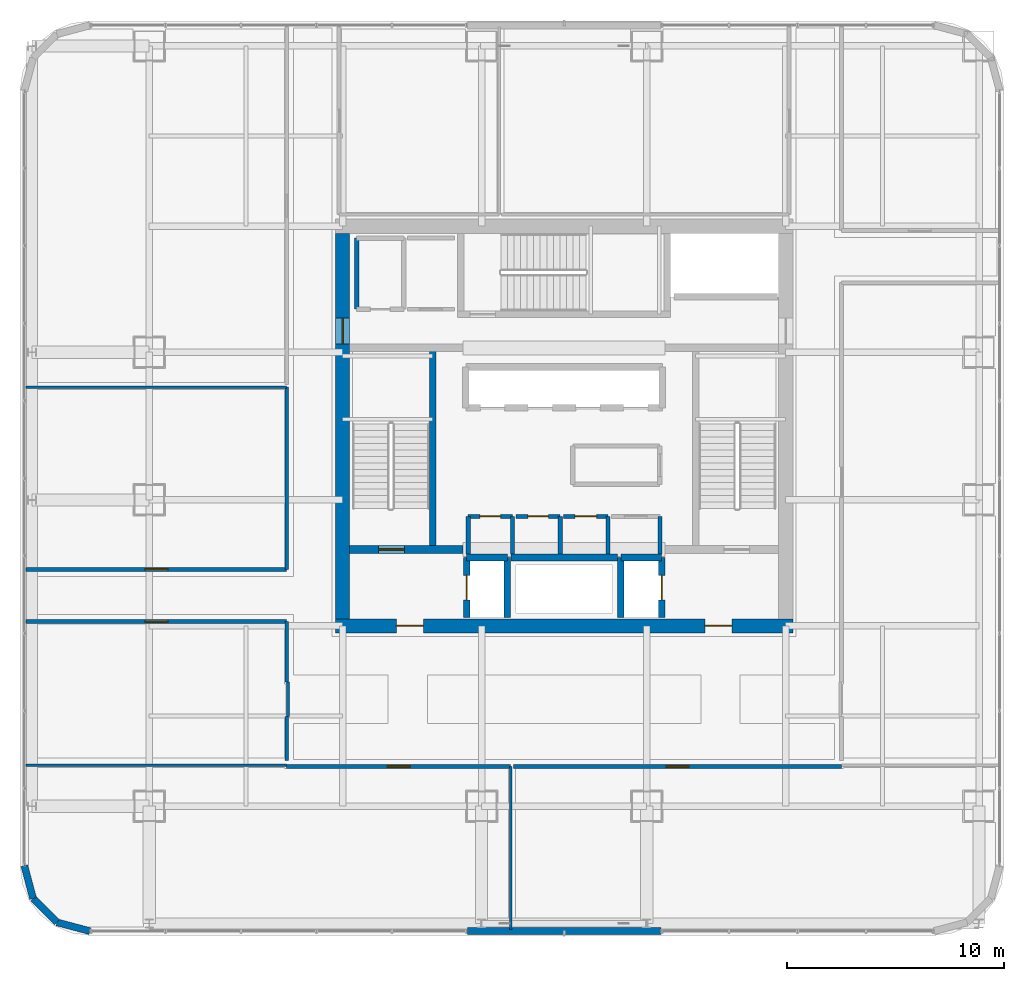
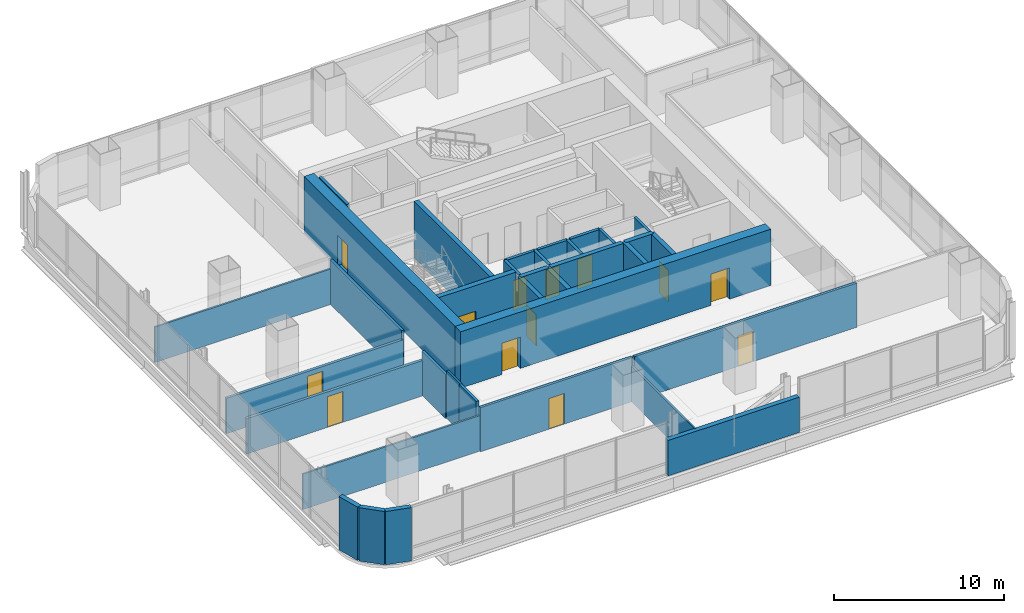
# One storey, part 28 of 38: 35 walls, 13 doors, 13 openings.
"""IFC4 building model written with IfcOpenShell, lengths in metres."""

from ifc_helpers import new_model, si_unit, direction, frame, frame_2d, origin, place, context, subcontext, project, spatial, rectangle, extrude, material, layer, layer_set, type_object, element, fill, save


model = new_model("IFC4")

# Units and contexts
model_context = context("Model", 3, precision=1e-05, world=origin(), true_north=direction((0.0, 1.0)))
body_context = subcontext(model_context, "Body", "Model", "MODEL_VIEW")
ifc_project = project(units=[si_unit("LENGTHUNIT", "METRE"), si_unit("AREAUNIT", "SQUARE_METRE"), si_unit("VOLUMEUNIT", "CUBIC_METRE"), si_unit("PLANEANGLEUNIT", "RADIAN"), si_unit("MASSUNIT", "GRAM", prefix="KILO")], contexts=[model_context])

# Site, building, storey
site_placement = place(None, origin())
site = spatial("IfcSite", under=ifc_project, at=site_placement, CompositionType="ELEMENT")
building_placement = place(site_placement, origin())
building = spatial("IfcBuilding", under=site, at=building_placement, Name="Punatoya Terracotta Tower", CompositionType="ELEMENT")
storey_placement = place(building_placement, frame((0.0, 0.0, 188.39990234375)))
storey = spatial("IfcBuildingStorey", under=building, at=storey_placement, Name="L44", CompositionType="ELEMENT", Elevation=188.39990234375)

# Wall, openings, doors
ifc_material_1 = material(Name="Concrete C60/75", Category="concrete")
ifc_layer_1 = layer(ifc_material_1, 0.64990234375)
ifc_layer_set_1 = layer_set([ifc_layer_1], Name="Concrete C60/75")
wall_type_1 = type_object("IfcWallType", Name="WL-COR-650", PredefinedType="SHEAR", material=ifc_layer_set_1)
wall_1_placement = place(storey_placement, frame((10.52490234375, -9.199951171875, 0.0), z_axis=(0.0, 0.0, 1.0), x_axis=(-1.0, 0.0, 0.0)))
wall_1 = element("IfcWall", 1, at=wall_1_placement, inside=storey, type_object=wall_type_1, Name="L44 Core Shear Wall S", PredefinedType="SHEAR", context=body_context, shape_type="SweptSolid", body=[
    extrude(rectangle(XDim=21.0498046875, YDim=0.64990234375, at=frame_2d((10.52490234375, 0.0))), origin(), (0.0, 0.0, 1.0), 4.050048828125),
])
opening_1_placement = place(wall_1_placement, frame((2.800048828125, 0.0, 0.0)))
opening_1 = element("IfcOpeningElement", 2, at=opening_1_placement, cuts=wall_1, Name="Opening FD-L1", PredefinedType="OPENING", context=body_context, shape_type="SweptSolid", body=[
    extrude(rectangle(XDim=1.25, YDim=2.25, at=frame_2d((0.625, 1.125))), frame((0.0, 0.3349609375, 0.0), z_axis=(0.0, -1.0, 0.0), x_axis=(1.0, 0.0, 0.0)), (0.0, 0.0, 1.0), 0.669921875),
])
opening_2_placement = place(wall_1_placement, frame((17.0, 0.0, 0.0)))
opening_2 = element("IfcOpeningElement", 3, at=opening_2_placement, cuts=wall_1, Name="Opening FD-L1", PredefinedType="OPENING", context=body_context, shape_type="SweptSolid", body=[
    extrude(rectangle(XDim=1.25, YDim=2.25, at=frame_2d((0.625, 1.125))), frame((0.0, 0.3349609375, 0.0), z_axis=(0.0, -1.0, 0.0), x_axis=(1.0, 0.0, 0.0)), (0.0, 0.0, 1.0), 0.669921875),
])
ifc_material_2 = material(Name="Galvanised Steel Smokeproof Fire Door", Category="steel")
door_type_1 = type_object("IfcDoorType", Name="DR-FFL-1250", OperationType="NOTDEFINED", PredefinedType="DOOR", material=ifc_material_2)
door_1_placement = place(opening_1_placement, origin())
door_1 = element("IfcDoor", 4, at=door_1_placement, inside=storey, type_object=door_type_1, Name="L44 East Firefighting Lobby Corridor Fire Door", OperationType="SINGLE_SWING_LEFT", OverallHeight=2.25, OverallWidth=1.25, PredefinedType="DOOR", context=body_context, shape_type="SweptSolid", body=[
    extrude(rectangle(XDim=1.25, YDim=2.25, at=frame_2d((0.625, 1.125))), frame((0.0, 0.02490234375, 0.0), z_axis=(0.0, -1.0, 0.0), x_axis=(1.0, 0.0, 0.0)), (0.0, 0.0, 1.0), 0.050048828125),
])
fill(opening_1, door_1)
door_2_placement = place(opening_2_placement, origin())
door_2 = element("IfcDoor", 5, at=door_2_placement, inside=storey, type_object=door_type_1, Name="L44 West Firefighting Lobby Corridor Fire Door", OperationType="SINGLE_SWING_RIGHT", OverallHeight=2.25, OverallWidth=1.25, PredefinedType="DOOR", context=body_context, shape_type="SweptSolid", body=[
    extrude(rectangle(XDim=1.25, YDim=2.25, at=frame_2d((0.625, 1.125))), frame((0.0, 0.02490234375, 0.0), z_axis=(0.0, -1.0, 0.0), x_axis=(1.0, 0.0, 0.0)), (0.0, 0.0, 1.0), 0.050048828125),
])
fill(opening_2, door_2)

# Wall, opening, door
wall_2_placement = place(storey_placement, frame((-10.199951171875, -8.875, 0.0), z_axis=(0.0, 0.0, 1.0), x_axis=(0.0, 1.0, 0.0)))
wall_2 = element("IfcWall", 6, at=wall_2_placement, inside=storey, type_object=wall_type_1, Name="L44 Core Shear Wall W", PredefinedType="SHEAR", context=body_context, shape_type="SweptSolid", body=[
    extrude(rectangle(XDim=17.75, YDim=0.64990234375, at=frame_2d((8.875, 0.0))), origin(), (0.0, 0.0, 1.0), 4.050048828125),
])
opening_3_placement = place(wall_2_placement, frame((12.6650390625, 0.0, 0.0)))
opening_3 = element("IfcOpeningElement", 7, at=opening_3_placement, cuts=wall_2, Name="Opening SD-01", PredefinedType="OPENING", context=body_context, shape_type="SweptSolid", body=[
    extrude(rectangle(XDim=1.179931640625, YDim=2.199951171875, at=frame_2d((0.58984375, 1.10009765625))), frame((0.0, 0.3349609375, 0.0), z_axis=(0.0, -1.0, 0.0), x_axis=(1.0, 0.0, 0.0)), (0.0, 0.0, 1.0), 0.669921875),
])
ifc_material_3 = material(Name="Galvanised Steel Pressurized Stair Fire Door", Category="steel")
door_type_2 = type_object("IfcDoorType", Name="DR-STR-1180", OperationType="NOTDEFINED", PredefinedType="DOOR", material=ifc_material_3)
door_3_placement = place(opening_3_placement, origin())
door_3 = element("IfcDoor", 8, at=door_3_placement, inside=storey, type_object=door_type_2, Name="L44 Central Lift Lobby West Fire Door", OperationType="SINGLE_SWING_LEFT", OverallHeight=2.199951171875, OverallWidth=1.179931640625, PredefinedType="DOOR", context=body_context, shape_type="SweptSolid", body=[
    extrude(rectangle(XDim=1.179931640625, YDim=2.199951171875, at=frame_2d((0.58984375, 1.10009765625))), frame((0.0, 0.02490234375, 0.0), z_axis=(0.0, -1.0, 0.0), x_axis=(1.0, 0.0, 0.0)), (0.0, 0.0, 1.0), 0.050048828125),
])
fill(opening_3, door_3)

# Wall
ifc_material_4 = material(Name="Gypsum Fireboard + Steel Stud", Category="steel")
ifc_layer_2 = layer(ifc_material_4, 0.179931640625)
ifc_layer_set_2 = layer_set([ifc_layer_2], Name="Gypsum Fireboard + Steel Stud")
wall_type_2 = type_object("IfcWallType", Name="WL-CORR-180", PredefinedType="PARTITIONING", material=ifc_layer_set_2)
wall_3_placement = place(storey_placement, frame((4.419921875, -5.89990234375, 0.0), z_axis=(0.0, 0.0, 1.0), x_axis=(0.0, 1.0, 0.0)))
element("IfcWall", 9, at=wall_3_placement, inside=storey, type_object=wall_type_2, Name="L44 Core Reprographics Studio Partition 08", PredefinedType="PARTITIONING", context=body_context, shape_type="SweptSolid", body=[
    extrude(rectangle(XDim=1.739990234375, YDim=0.179931640625, at=frame_2d((0.8701171875, 0.0))), origin(), (0.0, 0.0, 1.0), 3.830078125),
])

# Wall, opening, door
wall_4_placement = place(storey_placement, frame((-12.77001953125, -15.669921875, 0.0), z_axis=(0.0, 0.0, 1.0), x_axis=(1.0, 0.0, 0.0)))
wall_4 = element("IfcWall", 10, at=wall_4_placement, inside=storey, type_object=wall_type_2, Name="L44 Open Workplace Studio Partition 21", PredefinedType="PARTITIONING", context=body_context, shape_type="SweptSolid", body=[
    extrude(rectangle(XDim=10.31005859375, YDim=0.179931640625, at=frame_2d((5.155029296875, 0.0))), origin(), (0.0, 0.0, 1.0), 3.174072265625),
])
opening_4_placement = place(wall_4_placement, frame((4.6298828125, 0.0, 0.0)))
opening_4 = element("IfcOpeningElement", 11, at=opening_4_placement, cuts=wall_4, Name="Opening OD-01", PredefinedType="OPENING", context=body_context, shape_type="SweptSolid", body=[
    extrude(rectangle(XDim=1.050048828125, YDim=2.199951171875, at=frame_2d((0.52490234375, 1.10009765625))), frame((0.0, 0.099853515625, 0.0), z_axis=(0.0, -1.0, 0.0), x_axis=(1.0, 0.0, 0.0)), (0.0, 0.0, 1.0), 0.199951171875),
])
ifc_material_5 = material(Name="Bengal Teak Solid-Core Leaf")
door_type_3 = type_object("IfcDoorType", Name="DR-OFF-1050", OperationType="NOTDEFINED", PredefinedType="DOOR", material=ifc_material_5)
door_4_placement = place(opening_4_placement, origin())
door_4 = element("IfcDoor", 12, at=door_4_placement, inside=storey, type_object=door_type_3, Name="L44 Open Workplace Studio Door", OperationType="SINGLE_SWING_LEFT", OverallHeight=2.199951171875, OverallWidth=1.050048828125, PredefinedType="DOOR", context=body_context, shape_type="SweptSolid", body=[
    extrude(rectangle(XDim=1.050048828125, YDim=2.199951171875, at=frame_2d((0.52490234375, 1.10009765625))), frame((0.0, 0.02490234375, 0.0), z_axis=(0.0, -1.0, 0.0), x_axis=(1.0, 0.0, 0.0)), (0.0, 0.0, 1.0), 0.050048828125),
])
fill(opening_4, door_4)

wall_5_placement = place(storey_placement, frame((-2.340087890625, -15.669921875, 0.0), z_axis=(0.0, 0.0, 1.0), x_axis=(1.0, 0.0, 0.0)))
wall_5 = element("IfcWall", 13, at=wall_5_placement, inside=storey, type_object=wall_type_2, Name="L44 Analytical Practice Office Partition 24", PredefinedType="PARTITIONING", context=body_context, shape_type="SweptSolid", body=[
    extrude(rectangle(XDim=15.110107421875, YDim=0.179931640625, at=frame_2d((7.55517578125, 0.0))), origin(), (0.0, 0.0, 1.0), 3.174072265625),
])
opening_5_placement = place(wall_5_placement, frame((7.030029296875, 0.0, 0.0)))
opening_5 = element("IfcOpeningElement", 14, at=opening_5_placement, cuts=wall_5, Name="Opening OD-01", PredefinedType="OPENING", context=body_context, shape_type="SweptSolid", body=[
    extrude(rectangle(XDim=1.050048828125, YDim=2.199951171875, at=frame_2d((0.52490234375, 1.10009765625))), frame((0.0, 0.099853515625, 0.0), z_axis=(0.0, -1.0, 0.0), x_axis=(1.0, 0.0, 0.0)), (0.0, 0.0, 1.0), 0.199951171875),
])
door_5_placement = place(opening_5_placement, origin())
door_5 = element("IfcDoor", 15, at=door_5_placement, inside=storey, type_object=door_type_3, Name="L44 Analytical Practice Office Door", OperationType="SINGLE_SWING_RIGHT", OverallHeight=2.199951171875, OverallWidth=1.050048828125, PredefinedType="DOOR", context=body_context, shape_type="SweptSolid", body=[
    extrude(rectangle(XDim=1.050048828125, YDim=2.199951171875, at=frame_2d((0.52490234375, 1.10009765625))), frame((0.0, 0.02490234375, 0.0), z_axis=(0.0, -1.0, 0.0), x_axis=(1.0, 0.0, 0.0)), (0.0, 0.0, 1.0), 0.050048828125),
])
fill(opening_5, door_5)

wall_6_placement = place(storey_placement, frame((-24.77001953125, -9.0, 0.0), z_axis=(0.0, 0.0, 1.0), x_axis=(1.0, 0.0, 0.0)))
wall_6 = element("IfcWall", 16, at=wall_6_placement, inside=storey, type_object=wall_type_2, Name="L44 Project Design Office Partition 25", PredefinedType="PARTITIONING", context=body_context, shape_type="SweptSolid", body=[
    extrude(rectangle(XDim=12.0, YDim=0.179931640625, at=frame_2d((6.0, 0.0))), origin(), (0.0, 0.0, 1.0), 2.544189453125),
])
opening_6_placement = place(wall_6_placement, frame((5.47509765625, 0.0, 0.0)))
opening_6 = element("IfcOpeningElement", 17, at=opening_6_placement, cuts=wall_6, Name="Opening OD-01", PredefinedType="OPENING", context=body_context, shape_type="SweptSolid", body=[
    extrude(rectangle(XDim=1.050048828125, YDim=2.199951171875, at=frame_2d((0.52490234375, 1.10009765625))), frame((0.0, 0.099853515625, 0.0), z_axis=(0.0, -1.0, 0.0), x_axis=(1.0, 0.0, 0.0)), (0.0, 0.0, 1.0), 0.199951171875),
])
door_6_placement = place(opening_6_placement, origin())
door_6 = element("IfcDoor", 18, at=door_6_placement, inside=storey, type_object=door_type_3, Name="L44 Project Design Office Door", OperationType="SINGLE_SWING_LEFT", OverallHeight=2.199951171875, OverallWidth=1.050048828125, PredefinedType="DOOR", context=body_context, shape_type="SweptSolid", body=[
    extrude(rectangle(XDim=1.050048828125, YDim=2.199951171875, at=frame_2d((0.52490234375, 1.10009765625))), frame((0.0, 0.02490234375, 0.0), z_axis=(0.0, -1.0, 0.0), x_axis=(1.0, 0.0, 0.0)), (0.0, 0.0, 1.0), 0.050048828125),
])
fill(opening_6, door_6)

# Walls
wall_7_placement = place(storey_placement, frame((-12.77001953125, -9.0, 0.0), z_axis=(0.0, 0.0, 1.0), x_axis=(0.0, -1.0, 0.0)))
element("IfcWall", 19, at=wall_7_placement, inside=storey, type_object=wall_type_2, Name="L44 Project Design Office Partition 26", PredefinedType="PARTITIONING", context=body_context, shape_type="SweptSolid", body=[
    extrude(rectangle(XDim=2.77001953125, YDim=0.179931640625, at=frame_2d((1.385009765625, 0.0))), origin(), (0.0, 0.0, 1.0), 3.174072265625),
])
wall_8_placement = place(storey_placement, frame((-12.77001953125, -13.3798828125, 0.0), z_axis=(0.0, 0.0, 1.0), x_axis=(0.0, -1.0, 0.0)))
element("IfcWall", 20, at=wall_8_placement, inside=storey, type_object=wall_type_2, Name="L44 Project Design Office Partition 28", PredefinedType="PARTITIONING", context=body_context, shape_type="SweptSolid", body=[
    extrude(rectangle(XDim=2.010009765625, YDim=0.179931640625, at=frame_2d((1.0048828125, 0.0))), origin(), (0.0, 0.0, 1.0), 3.424072265625),
])

# Wall, opening, door
wall_9_placement = place(storey_placement, frame((-12.77001953125, -6.60009765625, 0.0), z_axis=(0.0, 0.0, 1.0), x_axis=(-1.0, 0.0, 0.0)))
wall_9 = element("IfcWall", 21, at=wall_9_placement, inside=storey, type_object=wall_type_2, Name="L44 Open-Plan Digital Reference Library Partition 33", PredefinedType="PARTITIONING", context=body_context, shape_type="SweptSolid", body=[
    extrude(rectangle(XDim=12.0, YDim=0.179931640625, at=frame_2d((6.0, 0.0))), origin(), (0.0, 0.0, 1.0), 2.544189453125),
])
opening_7_placement = place(wall_9_placement, frame((5.47509765625, 0.0, 0.0)))
opening_7 = element("IfcOpeningElement", 22, at=opening_7_placement, cuts=wall_9, Name="Opening OD-01", PredefinedType="OPENING", context=body_context, shape_type="SweptSolid", body=[
    extrude(rectangle(XDim=1.050048828125, YDim=2.199951171875, at=frame_2d((0.52490234375, 1.10009765625))), frame((0.0, 0.099853515625, 0.0), z_axis=(0.0, -1.0, 0.0), x_axis=(1.0, 0.0, 0.0)), (0.0, 0.0, 1.0), 0.199951171875),
])
door_7_placement = place(opening_7_placement, origin())
door_7 = element("IfcDoor", 23, at=door_7_placement, inside=storey, type_object=door_type_3, Name="L44 Open-Plan Digital Reference Library Door", OperationType="SINGLE_SWING_LEFT", OverallHeight=2.199951171875, OverallWidth=1.050048828125, PredefinedType="DOOR", context=body_context, shape_type="SweptSolid", body=[
    extrude(rectangle(XDim=1.050048828125, YDim=2.199951171875, at=frame_2d((0.52490234375, 1.10009765625))), frame((0.0, 0.02490234375, 0.0), z_axis=(0.0, -1.0, 0.0), x_axis=(1.0, 0.0, 0.0)), (0.0, 0.0, 1.0), 0.050048828125),
])
fill(opening_7, door_7)

# Walls
wall_10_placement = place(storey_placement, frame((-12.77001953125, 1.7900390625, 0.0), z_axis=(0.0, 0.0, 1.0), x_axis=(0.0, -1.0, 0.0)))
element("IfcWall", 24, at=wall_10_placement, inside=storey, type_object=wall_type_2, Name="L44 Open-Plan Digital Reference Library Partition 35", PredefinedType="PARTITIONING", context=body_context, shape_type="SweptSolid", body=[
    extrude(rectangle(XDim=8.39013671875, YDim=0.179931640625, at=frame_2d((4.195068359375, 0.0))), origin(), (0.0, 0.0, 1.0), 3.174072265625),
])
ifc_material_6 = material(Name="Precast concrete C40/50", Category="concrete")
ifc_layer_3 = layer(ifc_material_6, 0.320068359375)
ifc_layer_set_3 = layer_set([ifc_layer_3], Name="Precast concrete C40/50")
wall_type_3 = type_object("IfcWallType", Name="WL-EXT-320", PredefinedType="SOLIDWALL", material=ifc_layer_set_3)
wall_11_placement = place(storey_placement, frame((-4.449951171875, -23.25, 0.0), z_axis=(0.0, 0.0, 1.0), x_axis=(1.0, 0.0, 0.0)))
element("IfcWall", 25, at=wall_11_placement, inside=storey, type_object=wall_type_3, Name="L44 Terracotta Braced Facade Wall S1", PredefinedType="SOLIDWALL", context=body_context, shape_type="SweptSolid", body=[
    extrude(rectangle(XDim=8.89990234375, YDim=0.320068359375, at=frame_2d((4.449951171875, 0.0))), origin(), (0.0, 0.0, 1.0), 2.544189453125),
])
wall_12_placement = place(storey_placement, frame((-24.85009765625, -20.23681640625, 0.0), z_axis=(0.0, 0.0, 1.0), x_axis=(0.257847112249, -0.966185730957, 0.0)))
element("IfcWall", 26, at=wall_12_placement, inside=storey, type_object=wall_type_3, Name="L44 Rounded Terracotta Corner Pier 14", PredefinedType="SOLIDWALL", context=body_context, shape_type="SweptSolid", body=[
    extrude(rectangle(XDim=1.565185546875, YDim=0.320068359375, at=frame_2d((0.78271484375, 0.0))), origin(), (0.0, 0.0, 1.0), 3.830078125),
])
wall_13_placement = place(storey_placement, frame((-24.446533203125, -21.7490234375, 0.0), z_axis=(0.0, 0.0, 1.0), x_axis=(0.707028130747, -0.707185422879, 0.0)))
element("IfcWall", 27, at=wall_13_placement, inside=storey, type_object=wall_type_3, Name="L44 Rounded Terracotta Corner Pier 15", PredefinedType="SOLIDWALL", context=body_context, shape_type="SweptSolid", body=[
    extrude(rectangle(XDim=1.55224609375, YDim=0.320068359375, at=frame_2d((0.776123046875, 0.0))), origin(), (0.0, 0.0, 1.0), 3.830078125),
])
wall_14_placement = place(storey_placement, frame((-23.34912109375, -22.8466796875, 0.0), z_axis=(0.0, 0.0, 1.0), x_axis=(0.966224582397, -0.257701486942, 0.0)))
element("IfcWall", 28, at=wall_14_placement, inside=storey, type_object=wall_type_3, Name="L44 Rounded Terracotta Corner Pier 16", PredefinedType="SOLIDWALL", context=body_context, shape_type="SweptSolid", body=[
    extrude(rectangle(XDim=1.565185546875, YDim=0.320068359375, at=frame_2d((0.78271484375, 0.0))), origin(), (0.0, 0.0, 1.0), 3.830078125),
])
ifc_material_7 = material(Name="Concrete C40/50", Category="concrete")
ifc_layer_4 = layer(ifc_material_7, 0.199951171875)
ifc_layer_set_4 = layer_set([ifc_layer_4], Name="Concrete C40/50")
wall_type_4 = type_object("IfcWallType", Name="WL-INT-200", PredefinedType="SOLIDWALL", material=ifc_layer_set_4)
wall_15_placement = place(storey_placement, frame((-2.3798828125, -5.89990234375, 0.0), z_axis=(0.0, 0.0, 1.0), x_axis=(0.0, 1.0, 0.0)))
element("IfcWall", 29, at=wall_15_placement, inside=storey, type_object=wall_type_4, Name="L44 Male Washroom Partition 01", PredefinedType="SOLIDWALL", context=body_context, shape_type="SweptSolid", body=[
    extrude(rectangle(XDim=1.739990234375, YDim=0.199951171875, at=frame_2d((0.8701171875, 0.0))), origin(), (0.0, 0.0, 1.0), 3.830078125),
])

# Wall, opening, door
wall_16_placement = place(storey_placement, frame((-2.3798828125, -4.159912109375, 0.0), z_axis=(0.0, 0.0, 1.0), x_axis=(-1.0, 0.0, 0.0)))
wall_16 = element("IfcWall", 30, at=wall_16_placement, inside=storey, type_object=wall_type_4, Name="L44 Male Washroom Partition 02", PredefinedType="SOLIDWALL", context=body_context, shape_type="SweptSolid", body=[
    extrude(rectangle(XDim=2.0400390625, YDim=0.199951171875, at=frame_2d((1.02001953125, 0.0))), origin(), (0.0, 0.0, 1.0), 3.830078125),
])
opening_8_placement = place(wall_16_placement, frame((0.544921875, 0.0, 0.0)))
opening_8 = element("IfcOpeningElement", 31, at=opening_8_placement, cuts=wall_16, Name="Opening WD-01", PredefinedType="OPENING", context=body_context, shape_type="SweptSolid", body=[
    extrude(rectangle(XDim=0.949951171875, YDim=2.14990234375, at=frame_2d((0.47509765625, 1.074951171875))), frame((0.0, 0.10986328125, 0.0), z_axis=(0.0, -1.0, 0.0), x_axis=(1.0, 0.0, 0.0)), (0.0, 0.0, 1.0), 0.219970703125),
])
ifc_material_8 = material(Name="Moisture-Resistant Laminate Timber Leaf", Category="wood")
door_type_4 = type_object("IfcDoorType", Name="DR-WC-950", OperationType="NOTDEFINED", PredefinedType="DOOR", material=ifc_material_8)
door_8_placement = place(opening_8_placement, origin())
door_8 = element("IfcDoor", 32, at=door_8_placement, inside=storey, type_object=door_type_4, Name="L44 Male Washroom Door", OperationType="SINGLE_SWING_RIGHT", OverallHeight=2.14990234375, OverallWidth=0.949951171875, PredefinedType="DOOR", context=body_context, shape_type="SweptSolid", body=[
    extrude(rectangle(XDim=0.949951171875, YDim=2.14990234375, at=frame_2d((0.47509765625, 1.074951171875))), frame((0.0, 0.02490234375, 0.0), z_axis=(0.0, -1.0, 0.0), x_axis=(1.0, 0.0, 0.0)), (0.0, 0.0, 1.0), 0.050048828125),
])
fill(opening_8, door_8)

# Walls
for number, where, z_axis, x_axis, name in (
    (33, (-4.419921875, -4.159912109375, 0.0), (0.0, 0.0, 1.0), (0.0, -1.0, 0.0), "L44 Male Washroom Partition 03"),
    (34, (-0.179931640625, -5.89990234375, 0.0), (0.0, 0.0, 1.0), (0.0, 1.0, 0.0), "L44 Female Washroom Partition 04"),
):
    element("IfcWall", number, at=place(storey_placement, frame(where, z_axis=z_axis, x_axis=x_axis)), inside=storey, type_object=wall_type_4, Name=name, PredefinedType="SOLIDWALL", context=body_context, shape_type="SweptSolid", body=[
        extrude(rectangle(XDim=1.739990234375, YDim=0.199951171875, at=frame_2d((0.8701171875, 0.0))), origin(), (0.0, 0.0, 1.0), 3.830078125),
    ])

# Wall, opening, door
wall_17_placement = place(storey_placement, frame((-0.179931640625, -4.159912109375, 0.0), z_axis=(0.0, 0.0, 1.0), x_axis=(-1.0, 0.0, 0.0)))
wall_17 = element("IfcWall", 35, at=wall_17_placement, inside=storey, type_object=wall_type_4, Name="L44 Female Washroom Partition 05", PredefinedType="SOLIDWALL", context=body_context, shape_type="SweptSolid", body=[
    extrude(rectangle(XDim=2.0400390625, YDim=0.199951171875, at=frame_2d((1.02001953125, 0.0))), origin(), (0.0, 0.0, 1.0), 3.830078125),
])
opening_9_placement = place(wall_17_placement, frame((0.544921875, 0.0, 0.0)))
opening_9 = element("IfcOpeningElement", 36, at=opening_9_placement, cuts=wall_17, Name="Opening WD-01", PredefinedType="OPENING", context=body_context, shape_type="SweptSolid", body=[
    extrude(rectangle(XDim=0.949951171875, YDim=2.14990234375, at=frame_2d((0.47509765625, 1.074951171875))), frame((0.0, 0.10986328125, 0.0), z_axis=(0.0, -1.0, 0.0), x_axis=(1.0, 0.0, 0.0)), (0.0, 0.0, 1.0), 0.219970703125),
])
door_9_placement = place(opening_9_placement, origin())
door_9 = element("IfcDoor", 37, at=door_9_placement, inside=storey, type_object=door_type_4, Name="L44 Female Washroom Door", OperationType="SINGLE_SWING_LEFT", OverallHeight=2.14990234375, OverallWidth=0.949951171875, PredefinedType="DOOR", context=body_context, shape_type="SweptSolid", body=[
    extrude(rectangle(XDim=0.949951171875, YDim=2.14990234375, at=frame_2d((0.47509765625, 1.074951171875))), frame((0.0, 0.02490234375, 0.0), z_axis=(0.0, -1.0, 0.0), x_axis=(1.0, 0.0, 0.0)), (0.0, 0.0, 1.0), 0.050048828125),
])
fill(opening_9, door_9)

# Wall
wall_18_placement = place(storey_placement, frame((2.02001953125, -5.89990234375, 0.0), z_axis=(0.0, 0.0, 1.0), x_axis=(0.0, 1.0, 0.0)))
element("IfcWall", 38, at=wall_18_placement, inside=storey, type_object=wall_type_4, Name="L44 Accessible Universal Washroom Partition 06", PredefinedType="SOLIDWALL", context=body_context, shape_type="SweptSolid", body=[
    extrude(rectangle(XDim=1.739990234375, YDim=0.199951171875, at=frame_2d((0.8701171875, 0.0))), origin(), (0.0, 0.0, 1.0), 3.830078125),
])

# Wall, opening, door
wall_19_placement = place(storey_placement, frame((2.02001953125, -4.159912109375, 0.0), z_axis=(0.0, 0.0, 1.0), x_axis=(-1.0, 0.0, 0.0)))
wall_19 = element("IfcWall", 39, at=wall_19_placement, inside=storey, type_object=wall_type_4, Name="L44 Accessible Universal Washroom Partition 07", PredefinedType="SOLIDWALL", context=body_context, shape_type="SweptSolid", body=[
    extrude(rectangle(XDim=2.0400390625, YDim=0.199951171875, at=frame_2d((1.02001953125, 0.0))), origin(), (0.0, 0.0, 1.0), 3.830078125),
])
opening_10_placement = place(wall_19_placement, frame((0.52001953125, 0.0, 0.0)))
opening_10 = element("IfcOpeningElement", 40, at=opening_10_placement, cuts=wall_19, Name="Opening AWD-1", PredefinedType="OPENING", context=body_context, shape_type="SweptSolid", body=[
    extrude(rectangle(XDim=1.0, YDim=2.14990234375, at=frame_2d((0.5, 1.074951171875))), frame((0.0, 0.10986328125, 0.0), z_axis=(0.0, -1.0, 0.0), x_axis=(1.0, 0.0, 0.0)), (0.0, 0.0, 1.0), 0.219970703125),
])
ifc_material_9 = material(Name="Bengal Teak Accessible WC Leaf")
door_type_5 = type_object("IfcDoorType", Name="DR-ACC-1000", OperationType="NOTDEFINED", PredefinedType="DOOR", material=ifc_material_9)
door_10_placement = place(opening_10_placement, origin())
door_10 = element("IfcDoor", 41, at=door_10_placement, inside=storey, type_object=door_type_5, Name="L44 Accessible Universal Washroom Door", OperationType="SINGLE_SWING_RIGHT", OverallHeight=2.14990234375, OverallWidth=1.0, PredefinedType="DOOR", context=body_context, shape_type="SweptSolid", body=[
    extrude(rectangle(XDim=1.0, YDim=2.14990234375, at=frame_2d((0.5, 1.074951171875))), frame((0.0, 0.02490234375, 0.0), z_axis=(0.0, -1.0, 0.0), x_axis=(1.0, 0.0, 0.0)), (0.0, 0.0, 1.0), 0.050048828125),
])
fill(opening_10, door_10)

# Walls
wall_20_placement = place(storey_placement, frame((-9.550048828125, 8.64990234375, 0.0), z_axis=(0.0, 0.0, 1.0), x_axis=(0.0, -1.0, 0.0)))
element("IfcWall", 42, at=wall_20_placement, inside=storey, type_object=wall_type_4, Name="L44 West Core Archive Vault Partition 16", PredefinedType="SOLIDWALL", context=body_context, shape_type="SweptSolid", body=[
    extrude(rectangle(XDim=3.27001953125, YDim=0.199951171875, at=frame_2d((1.635009765625, 0.0))), origin(), (0.0, 0.0, 1.0), 3.830078125),
])
ifc_material_10 = material(Name="Gypsum Partition + Steel Stud", Category="steel")
ifc_layer_5 = layer(ifc_material_10, 0.1201171875)
ifc_layer_set_5 = layer_set([ifc_layer_5], Name="Gypsum Partition + Steel Stud")
wall_type_5 = type_object("IfcWallType", Name="WL-OFF-120", PredefinedType="PARTITIONING", material=ifc_layer_set_5)
wall_21_placement = place(storey_placement, frame((-24.77001953125, -15.610107421875, 0.0), z_axis=(0.0, 0.0, 1.0), x_axis=(1.0, 0.0, 0.0)))
element("IfcWall", 43, at=wall_21_placement, inside=storey, type_object=wall_type_5, Name="L44 Open Workplace Studio Partition 20", PredefinedType="PARTITIONING", context=body_context, shape_type="SweptSolid", body=[
    extrude(rectangle(XDim=12.0, YDim=0.1201171875, at=frame_2d((6.0, 0.0))), origin(), (0.0, 0.0, 1.0), 2.544189453125),
])
wall_22_placement = place(storey_placement, frame((-2.4599609375, -15.669921875, 0.0), z_axis=(0.0, 0.0, 1.0), x_axis=(0.0, -1.0, 0.0)))
element("IfcWall", 44, at=wall_22_placement, inside=storey, type_object=wall_type_5, Name="L44 Open Workplace Studio Partition 22", PredefinedType="PARTITIONING", context=body_context, shape_type="SweptSolid", body=[
    extrude(rectangle(XDim=7.5, YDim=0.1201171875, at=frame_2d((3.75, 0.0))), origin(), (0.0, 0.0, 1.0), 2.544189453125),
])
wall_23_placement = place(storey_placement, frame((-12.7099609375, -11.77001953125, 0.0), z_axis=(0.0, 0.0, 1.0), x_axis=(0.0, -1.0, 0.0)))
element("IfcWall", 45, at=wall_23_placement, inside=storey, type_object=wall_type_5, Name="L44 Project Design Office Partition 27", PredefinedType="PARTITIONING", context=body_context, shape_type="SweptSolid", body=[
    extrude(rectangle(XDim=1.60986328125, YDim=0.1201171875, at=frame_2d((0.804931640625, 0.0))), origin(), (0.0, 0.0, 1.0), 3.424072265625),
])
wall_24_placement = place(storey_placement, frame((-24.77001953125, 1.7900390625, 0.0), z_axis=(0.0, 0.0, 1.0), x_axis=(1.0, 0.0, 0.0)))
element("IfcWall", 46, at=wall_24_placement, inside=storey, type_object=wall_type_5, Name="L44 Open-Plan Digital Reference Library Partition 34", PredefinedType="PARTITIONING", context=body_context, shape_type="SweptSolid", body=[
    extrude(rectangle(XDim=12.0, YDim=0.1201171875, at=frame_2d((6.0, 0.0))), origin(), (0.0, 0.0, 1.0), 2.544189453125),
])
ifc_layer_6 = layer(ifc_material_7, 0.300048828125)
ifc_layer_set_6 = layer_set([ifc_layer_6], Name="Concrete C40/50")
wall_type_6 = type_object("IfcWallType", Name="WL-SHF-300", PredefinedType="SOLIDWALL", material=ifc_layer_set_6)
wall_25_placement = place(storey_placement, frame((-6.050048828125, -5.5, 0.0), z_axis=(0.0, 0.0, 1.0), x_axis=(0.0, 1.0, 0.0)))
element("IfcWall", 47, at=wall_25_placement, inside=storey, type_object=wall_type_6, Name="L44 Structural Stair Shaft Wall SW-ST1-E", PredefinedType="SOLIDWALL", context=body_context, shape_type="SweptSolid", body=[
    extrude(rectangle(XDim=8.949951171875, YDim=0.300048828125, at=frame_2d((4.47509765625, 0.0))), origin(), (0.0, 0.0, 1.0), 4.050048828125),
])

# Wall, opening, door
wall_26_placement = place(storey_placement, frame((-4.489990234375, -8.820068359375, 0.0), z_axis=(0.0, 0.0, 1.0), x_axis=(0.0, 1.0, 0.0)))
wall_26 = element("IfcWall", 48, at=wall_26_placement, inside=storey, type_object=wall_type_6, Name="L44 FFL-1 Front Hoistway Wall", PredefinedType="SOLIDWALL", context=body_context, shape_type="SweptSolid", body=[
    extrude(rectangle(XDim=2.77001953125, YDim=0.300048828125, at=frame_2d((1.385009765625, 0.0))), origin(), (0.0, 0.0, 1.0), 3.830078125),
])
opening_11_placement = place(wall_26_placement, frame((0.824951171875, 0.0, 0.0)))
opening_11 = element("IfcOpeningElement", 49, at=opening_11_placement, cuts=wall_26, Name="Opening LD-02", PredefinedType="OPENING", context=body_context, shape_type="SweptSolid", body=[
    extrude(rectangle(XDim=1.1201171875, YDim=2.25, at=frame_2d((0.56005859375, 1.125))), frame((0.0, 0.159912109375, 0.0), z_axis=(0.0, -1.0, 0.0), x_axis=(1.0, 0.0, 0.0)), (0.0, 0.0, 1.0), 0.320068359375),
])
ifc_material_11 = material(Name="Stainless Steel Lift Landing Door", Category="steel")
door_type_6 = type_object("IfcDoorType", Name="DR-LND-1120", OperationType="NOTDEFINED", PredefinedType="DOOR", material=ifc_material_11)
door_11_placement = place(opening_11_placement, origin())
door_11 = element("IfcDoor", 50, at=door_11_placement, inside=storey, type_object=door_type_6, Name="L44 Firefighting Lift FFL-1 Sliding Landing Door", OperationType="SLIDING_TO_LEFT", OverallHeight=2.25, OverallWidth=1.1201171875, PredefinedType="DOOR", context=body_context, shape_type="SweptSolid", body=[
    extrude(rectangle(XDim=1.1201171875, YDim=2.25, at=frame_2d((0.56005859375, 1.125))), frame((0.0, 0.02490234375, 0.0), z_axis=(0.0, -1.0, 0.0), x_axis=(1.0, 0.0, 0.0)), (0.0, 0.0, 1.0), 0.050048828125),
])
fill(opening_11, door_11)

# Walls
wall_27_placement = place(storey_placement, frame((-2.610107421875, -8.820068359375, 0.0), z_axis=(0.0, 0.0, 1.0), x_axis=(0.0, 1.0, 0.0)))
element("IfcWall", 51, at=wall_27_placement, inside=storey, type_object=wall_type_6, Name="L44 FFL-1 Rear Hoistway Wall", PredefinedType="SOLIDWALL", context=body_context, shape_type="SweptSolid", body=[
    extrude(rectangle(XDim=2.77001953125, YDim=0.300048828125, at=frame_2d((1.385009765625, 0.0))), origin(), (0.0, 0.0, 1.0), 3.830078125),
])
wall_28_placement = place(storey_placement, frame((-4.489990234375, -6.050048828125, 0.0), z_axis=(0.0, 0.0, 1.0), x_axis=(1.0, 0.0, 0.0)))
element("IfcWall", 52, at=wall_28_placement, inside=storey, type_object=wall_type_6, Name="L44 FFL-1 North Hoistway Wall", PredefinedType="SOLIDWALL", context=body_context, shape_type="SweptSolid", body=[
    extrude(rectangle(XDim=1.8798828125, YDim=0.300048828125, at=frame_2d((0.93994140625, 0.0))), origin(), (0.0, 0.0, 1.0), 3.830078125),
])

# Wall, opening, door
wall_29_placement = place(storey_placement, frame((4.489990234375, -8.820068359375, 0.0), z_axis=(0.0, 0.0, 1.0), x_axis=(0.0, 1.0, 0.0)))
wall_29 = element("IfcWall", 53, at=wall_29_placement, inside=storey, type_object=wall_type_6, Name="L44 FFL-2 Front Hoistway Wall", PredefinedType="SOLIDWALL", context=body_context, shape_type="SweptSolid", body=[
    extrude(rectangle(XDim=2.77001953125, YDim=0.300048828125, at=frame_2d((1.385009765625, 0.0))), origin(), (0.0, 0.0, 1.0), 3.830078125),
])
opening_12_placement = place(wall_29_placement, frame((0.824951171875, 0.0, 0.0)))
opening_12 = element("IfcOpeningElement", 54, at=opening_12_placement, cuts=wall_29, Name="Opening LD-02", PredefinedType="OPENING", context=body_context, shape_type="SweptSolid", body=[
    extrude(rectangle(XDim=1.1201171875, YDim=2.25, at=frame_2d((0.56005859375, 1.125))), frame((0.0, 0.159912109375, 0.0), z_axis=(0.0, -1.0, 0.0), x_axis=(1.0, 0.0, 0.0)), (0.0, 0.0, 1.0), 0.320068359375),
])
door_12_placement = place(opening_12_placement, origin())
door_12 = element("IfcDoor", 55, at=door_12_placement, inside=storey, type_object=door_type_6, Name="L44 Firefighting Lift FFL-2 Sliding Landing Door", OperationType="SLIDING_TO_RIGHT", OverallHeight=2.25, OverallWidth=1.1201171875, PredefinedType="DOOR", context=body_context, shape_type="SweptSolid", body=[
    extrude(rectangle(XDim=1.1201171875, YDim=2.25, at=frame_2d((0.56005859375, 1.125))), frame((0.0, 0.02490234375, 0.0), z_axis=(0.0, -1.0, 0.0), x_axis=(1.0, 0.0, 0.0)), (0.0, 0.0, 1.0), 0.050048828125),
])
fill(opening_12, door_12)

# Walls
wall_30_placement = place(storey_placement, frame((2.610107421875, -8.820068359375, 0.0), z_axis=(0.0, 0.0, 1.0), x_axis=(0.0, 1.0, 0.0)))
element("IfcWall", 56, at=wall_30_placement, inside=storey, type_object=wall_type_6, Name="L44 FFL-2 Rear Hoistway Wall", PredefinedType="SOLIDWALL", context=body_context, shape_type="SweptSolid", body=[
    extrude(rectangle(XDim=2.77001953125, YDim=0.300048828125, at=frame_2d((1.385009765625, 0.0))), origin(), (0.0, 0.0, 1.0), 3.830078125),
])
wall_31_placement = place(storey_placement, frame((2.610107421875, -6.050048828125, 0.0), z_axis=(0.0, 0.0, 1.0), x_axis=(1.0, 0.0, 0.0)))
element("IfcWall", 57, at=wall_31_placement, inside=storey, type_object=wall_type_6, Name="L44 FFL-2 North Hoistway Wall", PredefinedType="SOLIDWALL", context=body_context, shape_type="SweptSolid", body=[
    extrude(rectangle(XDim=1.8798828125, YDim=0.300048828125, at=frame_2d((0.93994140625, 0.0))), origin(), (0.0, 0.0, 1.0), 3.830078125),
])
wall_32_placement = place(storey_placement, frame((-2.449951171875, -6.050048828125, 0.0), z_axis=(0.0, 0.0, 1.0), x_axis=(1.0, 0.0, 0.0)))
element("IfcWall", 58, at=wall_32_placement, inside=storey, type_object=wall_type_6, Name="L44 Observation Shuttle Rear Hoistway Wall", PredefinedType="SOLIDWALL", context=body_context, shape_type="SweptSolid", body=[
    extrude(rectangle(XDim=4.89990234375, YDim=0.300048828125, at=frame_2d((2.449951171875, 0.0))), origin(), (0.0, 0.0, 1.0), 3.830078125),
])

# Wall, opening, door
ifc_material_12 = material(Name="Concrete C50/60", Category="concrete")
ifc_layer_7 = layer(ifc_material_12, 0.35009765625)
ifc_layer_set_7 = layer_set([ifc_layer_7], Name="Concrete C50/60")
wall_type_7 = type_object("IfcWallType", Name="WL-SHF-350", PredefinedType="SOLIDWALL", material=ifc_layer_set_7)
wall_33_placement = place(storey_placement, frame((-9.875, -5.679931640625, 0.0), z_axis=(0.0, 0.0, 1.0), x_axis=(1.0, 0.0, 0.0)))
wall_33 = element("IfcWall", 59, at=wall_33_placement, inside=storey, type_object=wall_type_7, Name="L44 Core Web Wall CSW-L", PredefinedType="SOLIDWALL", context=body_context, shape_type="SweptSolid", body=[
    extrude(rectangle(XDim=5.22509765625, YDim=0.35009765625, at=frame_2d((2.612548828125, 0.0))), origin(), (0.0, 0.0, 1.0), 4.050048828125),
])
opening_13_placement = place(wall_33_placement, frame((1.3349609375, 0.0, 0.0)))
opening_13 = element("IfcOpeningElement", 60, at=opening_13_placement, cuts=wall_33, Name="Opening SD-01", PredefinedType="OPENING", context=body_context, shape_type="SweptSolid", body=[
    extrude(rectangle(XDim=1.179931640625, YDim=2.199951171875, at=frame_2d((0.58984375, 1.10009765625))), frame((0.0, 0.18505859375, 0.0), z_axis=(0.0, -1.0, 0.0), x_axis=(1.0, 0.0, 0.0)), (0.0, 0.0, 1.0), 0.3701171875),
])
door_13_placement = place(opening_13_placement, origin())
door_13 = element("IfcDoor", 61, at=door_13_placement, inside=storey, type_object=door_type_2, Name="L44 Stair ST-1 Smokeproof Lobby Fire Door", OperationType="SINGLE_SWING_LEFT", OverallHeight=2.199951171875, OverallWidth=1.179931640625, PredefinedType="DOOR", context=body_context, shape_type="SweptSolid", body=[
    extrude(rectangle(XDim=1.179931640625, YDim=2.199951171875, at=frame_2d((0.58984375, 1.10009765625))), frame((0.0, 0.02490234375, 0.0), z_axis=(0.0, -1.0, 0.0), x_axis=(1.0, 0.0, 0.0)), (0.0, 0.0, 1.0), 0.050048828125),
])
fill(opening_13, door_13)

save(model, "model.ifc")
